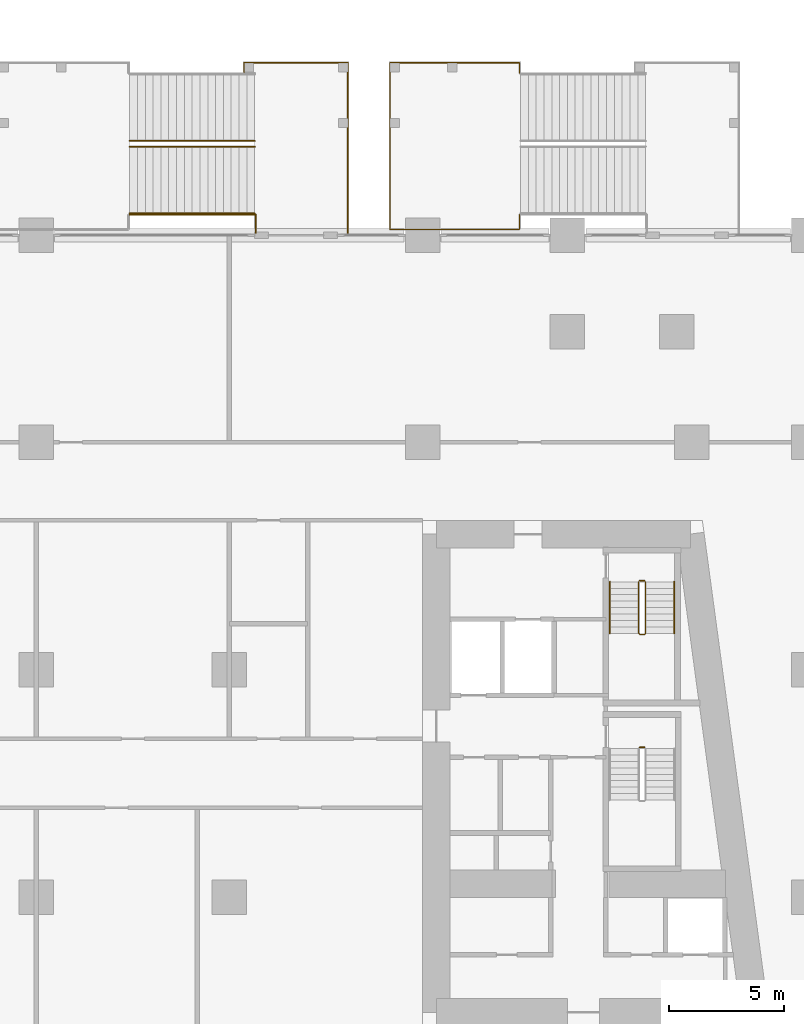
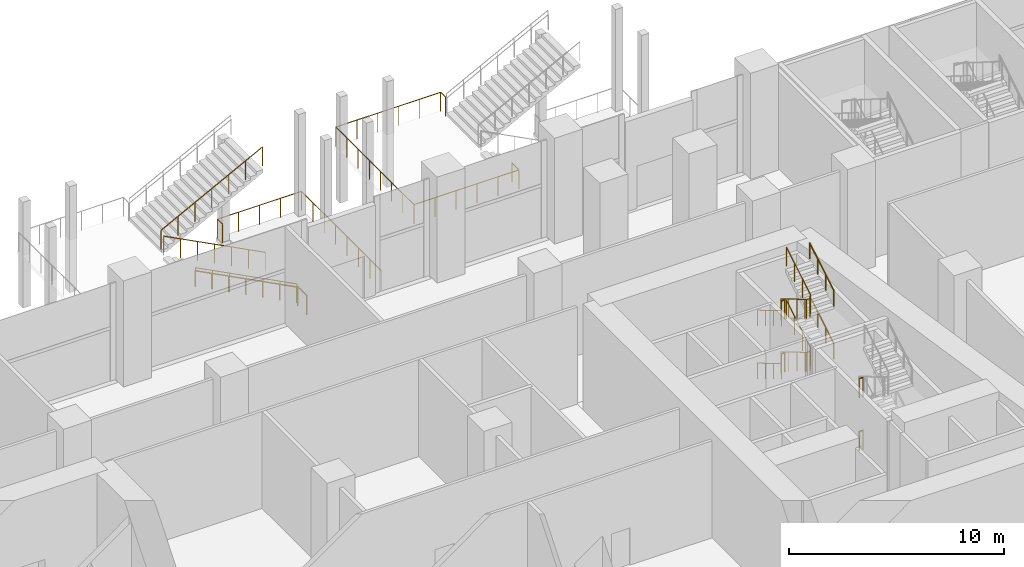
# One storey, part 44 of 49: 17 railings.
"""IFC4 building model written with IfcOpenShell, lengths in metres."""

import ifcopenshell
import ifcopenshell.guid

model = None  # the IFC model being written
_history = None  # IfcOwnerHistory: only IFC2X3 demands one
_inside = {}  # id of a spatial element -> (the spatial element, [elements in it])
_under = {}  # id of a project, library or spatial element -> (it, [spatial elements below it])
_declared = {}  # id of a project -> (the project, [libraries it declares])
_typed = {}  # id of a type object -> (the type object, [elements of that type])
_made_of = {}  # id of a material, layer set ... -> (it, [elements and type objects made of it])


def new_model(schema):
    """Start an empty IFC model of exactly this schema.

    Asked for "IFC4X3", IfcOpenShell would pick the latest addendum, in which some entities
    have other attributes; the version numbers below select the first issue.
    IFC2X3 requires an IfcOwnerHistory on every rooted entity: one is made here for all.
    """
    global model, _history
    if schema == "IFC4X3":
        model = ifcopenshell.file(schema_version=(4, 3, 0, 0))
    else:
        model = ifcopenshell.file(schema=schema)
    _inside.clear()
    _under.clear()
    _declared.clear()
    _typed.clear()
    _made_of.clear()
    _history = None
    if model.schema == "IFC2X3":
        org = make("IfcOrganization", Name="unknown")
        user = make(
            "IfcPersonAndOrganization",
            ThePerson=make("IfcPerson", FamilyName="unknown"),
            TheOrganization=org,
        )
        app = make(
            "IfcApplication",
            ApplicationDeveloper=org,
            Version="unknown",
            ApplicationFullName="unknown",
            ApplicationIdentifier="unknown",
        )
        _history = make(
            "IfcOwnerHistory",
            OwningUser=user,
            OwningApplication=app,
            ChangeAction="ADDED",
            CreationDate=0,
        )
    return model


def make(cls, **values):
    """One entity of the class cls with the attributes given. An attribute that is None is left unset."""
    return model.create_entity(
        cls, **{name: value for name, value in values.items() if value is not None}
    )


def rooted(cls, **values):
    """An entity with a GlobalId (a new one), such as an element, a storey or a relation."""
    return make(cls, GlobalId=ifcopenshell.guid.new(), OwnerHistory=_history, **values)


def si_unit(unit_type, name, prefix=None):
    """IfcSIUnit, for example si_unit("LENGTHUNIT", "METRE", prefix="MILLI")."""
    return make("IfcSIUnit", UnitType=unit_type, Prefix=prefix, Name=name)


def assignment(units):
    """IfcUnitAssignment: the units of a project."""
    return None if units is None else make("IfcUnitAssignment", Units=units)


def point(xyz):
    """IfcCartesianPoint."""
    return None if xyz is None else make("IfcCartesianPoint", Coordinates=xyz)


def direction(xyz):
    """IfcDirection."""
    return None if xyz is None else make("IfcDirection", DirectionRatios=xyz)


def frame(location, z_axis=None, x_axis=None):
    """IfcAxis2Placement3D, a coordinate frame: its origin and axes. An axis left out is left unset."""
    return make(
        "IfcAxis2Placement3D",
        Location=point(location),
        Axis=direction(z_axis),
        RefDirection=direction(x_axis),
    )


def frame_2d(location, x_axis=None):
    """IfcAxis2Placement2D, a coordinate frame in the plane: its origin and x axis."""
    return make(
        "IfcAxis2Placement2D", Location=point(location), RefDirection=direction(x_axis)
    )


def origin():
    """The frame at (0, 0, 0) with its axes left unset."""
    return frame((0.0, 0.0, 0.0))


def origin_2d():
    """The frame at (0, 0) in the plane with its x axis left unset."""
    return frame_2d((0.0, 0.0))


def place(relative_to, where):
    """IfcLocalPlacement: puts the frame where relative to a parent placement (None: the world)."""
    return make(
        "IfcLocalPlacement", PlacementRelTo=relative_to, RelativePlacement=where
    )


def context(
    kind, dimensions, precision=None, world=None, true_north=None, identifier=None
):
    """IfcGeometricRepresentationContext, for example the 3D "Model" context."""
    return make(
        "IfcGeometricRepresentationContext",
        ContextIdentifier=identifier,
        ContextType=kind,
        CoordinateSpaceDimension=dimensions,
        Precision=precision,
        WorldCoordinateSystem=world,
        TrueNorth=true_north,
    )


def subcontext(parent, identifier, kind, view, scale=None):
    """IfcGeometricRepresentationSubContext, for example "Body" below "Model"."""
    return make(
        "IfcGeometricRepresentationSubContext",
        ContextIdentifier=identifier,
        ContextType=kind,
        ParentContext=parent,
        TargetScale=scale,
        TargetView=view,
    )


def project(units=None, contexts=None):
    """IfcProject with its units and contexts."""
    return rooted(
        "IfcProject",
        Name="project",
        RepresentationContexts=contexts,
        UnitsInContext=assignment(units),
    )


def spatial(cls, under=None, at=None, **own):
    """A site, building, storey or space (cls), placed at a placement, below another one or the project."""
    s = rooted(cls, ObjectPlacement=at, **own)
    if under is not None:
        _under.setdefault(under.id(), (under, []))[1].append(s)
    return s


def profile(cls, at=None, kind="AREA", **sizes):
    """A parametric profile (cls). Its sizes go by their IFC names, for example OverallWidth=200.0."""
    return make(cls, ProfileType=kind, Position=at, **sizes)


def circle(**sizes):
    """IfcCircleProfileDef."""
    return profile("IfcCircleProfileDef", **sizes)


def extrude(swept, where, along, depth):
    """IfcExtrudedAreaSolid: the profile swept, set in the frame where, extruded along a direction by depth."""
    return make(
        "IfcExtrudedAreaSolid",
        SweptArea=swept,
        Position=where,
        ExtrudedDirection=direction(along),
        Depth=depth,
    )


def shape(context_of_items, identifier, shape_type, items):
    """IfcShapeRepresentation: the items that make up one representation, for example the "Body"."""
    return make(
        "IfcShapeRepresentation",
        ContextOfItems=context_of_items,
        RepresentationIdentifier=identifier,
        RepresentationType=shape_type,
        Items=items,
    )


def material(Name=None, Category=None):
    """IfcMaterial."""
    return make("IfcMaterial", Name=Name, Category=Category)


def made_of(thing, what):
    """Note that an element or type object is made of a material, layer set ...; save() writes the relation."""
    if what is not None:
        _made_of.setdefault(what.id(), (what, []))[1].append(thing)
    return thing


def type_object(cls, material=None, **own):
    """A type object (cls), such as IfcWallType, which elements share."""
    return made_of(rooted(cls, **own), material)


def element(
    cls,
    number,
    at=None,
    inside=None,
    cuts=None,
    type_object=None,
    material=None,
    context=None,
    identifier="Body",
    shape_type=None,
    held_by="IfcProductDefinitionShape",
    body=None,
    shapes=None,
    **own,
):
    """One element of the class cls, such as IfcWall. Its Tag is "e" and its number.

    at: its placement. inside: the storey or other place that contains it. cuts: it is an
    opening in that element (IfcRelVoidsElement). A single representation is given by context,
    identifier, shape_type and body (its items); several are given by shapes. held_by: the class
    of the entity that holds the representations. save() writes the other relations.
    """
    e = rooted(cls, Tag="e%d" % number, ObjectPlacement=at, **own)
    if body is not None:
        shapes = [shape(context, identifier, shape_type, body)]
    if shapes is not None:
        e.Representation = make(held_by, Representations=shapes)
    if inside is not None:
        _inside.setdefault(inside.id(), (inside, []))[1].append(e)
    if cuts is not None:
        rooted(
            "IfcRelVoidsElement", RelatingBuildingElement=cuts, RelatedOpeningElement=e
        )
    if type_object is not None:
        _typed.setdefault(type_object.id(), (type_object, []))[1].append(e)
    return made_of(e, material)


def aggregate(whole, parts):
    """IfcRelAggregates: a whole, such as a stair, and the parts it consists of."""
    return rooted("IfcRelAggregates", RelatingObject=whole, RelatedObjects=parts)


def save(model, path):
    """Write the relations noted so far, then the file.

    IfcRelAggregates (storeys below a building ...), IfcRelContainedInSpatialStructure (elements
    in a storey), IfcRelDefinesByType, IfcRelAssociatesMaterial and IfcRelDeclares: one each for
    every whole, place, type object, material and project.
    """
    for whole, parts in _under.values():
        aggregate(whole, parts)
    for where, things in _inside.values():
        rooted(
            "IfcRelContainedInSpatialStructure",
            RelatedElements=things,
            RelatingStructure=where,
        )
    for kind, things in _typed.values():
        rooted("IfcRelDefinesByType", RelatedObjects=things, RelatingType=kind)
    for what, things in _made_of.values():
        rooted("IfcRelAssociatesMaterial", RelatedObjects=things, RelatingMaterial=what)
    for by, libraries in _declared.values():
        rooted("IfcRelDeclares", RelatingContext=by, RelatedDefinitions=libraries)
    model.write(path)


model = new_model("IFC4")

# Units and contexts
model_context = context("Model", 3, precision=1e-05, world=origin(), true_north=direction((0.0, 1.0)))
body_context = subcontext(model_context, "Body", "Model", "MODEL_VIEW")
ifc_project = project(units=[si_unit("LENGTHUNIT", "METRE"), si_unit("AREAUNIT", "SQUARE_METRE"), si_unit("VOLUMEUNIT", "CUBIC_METRE"), si_unit("PLANEANGLEUNIT", "RADIAN"), si_unit("MASSUNIT", "GRAM", prefix="KILO")], contexts=[model_context])

# Site, building, storey
site_placement = place(None, origin())
site = spatial("IfcSite", under=ifc_project, at=site_placement, CompositionType="ELEMENT")
building_placement = place(site_placement, origin())
building = spatial("IfcBuilding", under=site, at=building_placement, Name="Candeia Pilgrim Tower and Theatre", CompositionType="ELEMENT")
storey_placement = place(building_placement, frame((0.0, 0.0, 17.0)))
storey = spatial("IfcBuildingStorey", under=building, at=storey_placement, Name="L02", CompositionType="ELEMENT", Elevation=17.0)

# Railings
ifc_material_1 = material(Name="Stainless steel balustrade", Category="steel")
railing_type_1 = type_object("IfcRailingType", Name="RL-GUARD-1100", PredefinedType="GUARDRAIL", material=ifc_material_1)
for number, where, name in (
    (1, (135.447998046875, 122.52490234375, 3.0), "L02 ST3 stair guard 2"),
    (2, (135.447998046875, 122.52490234375, 0.0), "L02 ST3 stair guard 4"),
):
    element("IfcRailing", number, at=place(storey_placement, frame(where)), inside=storey, type_object=railing_type_1, Name=name, PredefinedType="GUARDRAIL", context=body_context, shape_type="SweptSolid", body=[
        extrude(circle(Radius=0.02392578125, at=origin_2d()), frame((0.0, 0.0, 1.076171875), z_axis=(1.0, 0.0, 0.0), x_axis=(0.0, 1.0, 0.0)), (0.0, 0.0, 1.0), 0.199951171875),
        extrude(circle(Radius=0.02099609375, at=origin_2d()), origin(), (0.0, 0.0, 1.0), 1.052001953125),
        extrude(circle(Radius=0.02099609375, at=origin_2d()), frame((0.199951171875, 0.0, 0.0)), (0.0, 0.0, 1.0), 1.052001953125),
    ])
railing_1_placement = place(storey_placement, frame((135.39794921875, 129.72509765625, 0.166748046875)))
element("IfcRailing", 3, at=railing_1_placement, inside=storey, type_object=railing_type_1, Name="L02 ST4 stair guard 1", PredefinedType="GUARDRAIL", context=body_context, shape_type="SweptSolid", body=[
    extrude(circle(Radius=0.02392578125, at=origin_2d()), frame((0.0, 0.0, 1.076171875), z_axis=(0.0, -0.859305625298, 0.511462454469), x_axis=(1.0, 0.0, 0.0)), (0.0, 0.0, 1.0), 2.606689453125),
    extrude(circle(Radius=0.02392578125, at=origin_2d()), frame((0.0, -2.239990234375, 2.4091796875), z_axis=(0.707106781187, -0.707106781187, 0.0), x_axis=(0.707106781187, 0.707106781187, 0.0)), (0.0, 0.0, 1.0), 0.07080078125),
    extrude(circle(Radius=0.02392578125, at=origin_2d()), frame((0.050048828125, -2.2900390625, 2.4091796875), z_axis=(1.0, 0.0, 0.0), x_axis=(0.0, 1.0, 0.0)), (0.0, 0.0, 1.0), 0.199951171875),
    extrude(circle(Radius=0.02392578125, at=origin_2d()), frame((0.25, -2.2900390625, 2.4091796875), z_axis=(0.27628659633, 0.27628659633, 0.920506074601), x_axis=(-0.707106781187, 0.707106781187, 0.0)), (0.0, 0.0, 1.0), 0.18115234375),
    extrude(circle(Radius=0.02392578125, at=origin_2d()), frame((0.300048828125, -2.239990234375, 2.576171875), z_axis=(0.0, 0.859305625298, 0.511462454469), x_axis=(-1.0, 0.0, 0.0)), (0.0, 0.0, 1.0), 2.606689453125),
    extrude(circle(Radius=0.02099609375, at=origin_2d()), origin(), (0.0, 0.0, 1.0), 1.052001953125),
    extrude(circle(Radius=0.02099609375, at=origin_2d()), frame((0.0, -0.74658203125, 0.4443359375)), (0.0, 0.0, 1.0), 1.052001953125),
    extrude(circle(Radius=0.02099609375, at=origin_2d()), frame((0.0, -1.493408203125, 0.888916015625)), (0.0, 0.0, 1.0), 1.052001953125),
    extrude(circle(Radius=0.02099609375, at=origin_2d()), frame((0.0, -2.239990234375, 1.333251953125)), (0.0, 0.0, 1.0), 1.052001953125),
    extrude(circle(Radius=0.02099609375, at=origin_2d()), frame((0.050048828125, -2.2900390625, 1.333251953125)), (0.0, 0.0, 1.0), 1.052001953125),
    extrude(circle(Radius=0.02099609375, at=origin_2d()), frame((0.25, -2.2900390625, 1.333251953125)), (0.0, 0.0, 1.0), 1.052001953125),
    extrude(circle(Radius=0.02099609375, at=origin_2d()), frame((0.300048828125, -2.239990234375, 1.5)), (0.0, 0.0, 1.0), 1.052001953125),
    extrude(circle(Radius=0.02099609375, at=origin_2d()), frame((0.300048828125, -1.493408203125, 1.9443359375)), (0.0, 0.0, 1.0), 1.052001953125),
    extrude(circle(Radius=0.02099609375, at=origin_2d()), frame((0.300048828125, -0.74658203125, 2.388916015625)), (0.0, 0.0, 1.0), 1.052001953125),
    extrude(circle(Radius=0.02099609375, at=origin_2d()), frame((0.300048828125, 0.0, 2.833251953125)), (0.0, 0.0, 1.0), 1.052001953125),
])
railing_2_placement = place(storey_placement, frame((135.447998046875, 129.77490234375, 3.0)))
element("IfcRailing", 4, at=railing_2_placement, inside=storey, type_object=railing_type_1, Name="L02 ST4 stair guard 2", PredefinedType="GUARDRAIL", context=body_context, shape_type="SweptSolid", body=[
    extrude(circle(Radius=0.02392578125, at=origin_2d()), frame((0.0, 0.0, 1.076171875), z_axis=(1.0, 0.0, 0.0), x_axis=(0.0, 1.0, 0.0)), (0.0, 0.0, 1.0), 0.199951171875),
    extrude(circle(Radius=0.02099609375, at=origin_2d()), origin(), (0.0, 0.0, 1.0), 1.052001953125),
    extrude(circle(Radius=0.02099609375, at=origin_2d()), frame((0.199951171875, 0.0, 0.0)), (0.0, 0.0, 1.0), 1.052001953125),
])
railing_3_placement = place(storey_placement, frame((135.39794921875, 129.72509765625, 3.166748046875)))
element("IfcRailing", 5, at=railing_3_placement, inside=storey, type_object=railing_type_1, Name="L02 ST4 stair guard 3", PredefinedType="GUARDRAIL", context=body_context, shape_type="SweptSolid", body=[
    extrude(circle(Radius=0.02392578125, at=origin_2d()), frame((0.0, 0.0, 1.076171875), z_axis=(0.0, -0.859305625298, 0.511462454469), x_axis=(1.0, 0.0, 0.0)), (0.0, 0.0, 1.0), 2.606689453125),
    extrude(circle(Radius=0.02392578125, at=origin_2d()), frame((0.0, -2.239990234375, 2.4091796875), z_axis=(0.707106781187, -0.707106781187, 0.0), x_axis=(0.707106781187, 0.707106781187, 0.0)), (0.0, 0.0, 1.0), 0.07080078125),
    extrude(circle(Radius=0.02392578125, at=origin_2d()), frame((0.050048828125, -2.2900390625, 2.4091796875), z_axis=(1.0, 0.0, 0.0), x_axis=(0.0, 1.0, 0.0)), (0.0, 0.0, 1.0), 0.199951171875),
    extrude(circle(Radius=0.02392578125, at=origin_2d()), frame((0.25, -2.2900390625, 2.4091796875), z_axis=(0.27628659633, 0.27628659633, 0.920506074601), x_axis=(-0.707106781187, 0.707106781187, 0.0)), (0.0, 0.0, 1.0), 0.18115234375),
    extrude(circle(Radius=0.02392578125, at=origin_2d()), frame((0.300048828125, -2.239990234375, 2.576171875), z_axis=(0.0, 0.859305625298, 0.511462454469), x_axis=(-1.0, 0.0, 0.0)), (0.0, 0.0, 1.0), 2.606689453125),
    extrude(circle(Radius=0.02099609375, at=origin_2d()), origin(), (0.0, 0.0, 1.0), 1.052001953125),
    extrude(circle(Radius=0.02099609375, at=origin_2d()), frame((0.0, -0.74658203125, 0.4443359375)), (0.0, 0.0, 1.0), 1.052001953125),
    extrude(circle(Radius=0.02099609375, at=origin_2d()), frame((0.0, -1.493408203125, 0.888916015625)), (0.0, 0.0, 1.0), 1.052001953125),
    extrude(circle(Radius=0.02099609375, at=origin_2d()), frame((0.0, -2.239990234375, 1.333251953125)), (0.0, 0.0, 1.0), 1.052001953125),
    extrude(circle(Radius=0.02099609375, at=origin_2d()), frame((0.050048828125, -2.2900390625, 1.333251953125)), (0.0, 0.0, 1.0), 1.052001953125),
    extrude(circle(Radius=0.02099609375, at=origin_2d()), frame((0.25, -2.2900390625, 1.333251953125)), (0.0, 0.0, 1.0), 1.052001953125),
    extrude(circle(Radius=0.02099609375, at=origin_2d()), frame((0.300048828125, -2.239990234375, 1.5)), (0.0, 0.0, 1.0), 1.052001953125),
    extrude(circle(Radius=0.02099609375, at=origin_2d()), frame((0.300048828125, -1.493408203125, 1.9443359375)), (0.0, 0.0, 1.0), 1.052001953125),
    extrude(circle(Radius=0.02099609375, at=origin_2d()), frame((0.300048828125, -0.74658203125, 2.388916015625)), (0.0, 0.0, 1.0), 1.052001953125),
    extrude(circle(Radius=0.02099609375, at=origin_2d()), frame((0.300048828125, 0.0, 2.833251953125)), (0.0, 0.0, 1.0), 1.052001953125),
])
railing_4_placement = place(storey_placement, frame((135.447998046875, 129.77490234375, 0.0)))
element("IfcRailing", 6, at=railing_4_placement, inside=storey, type_object=railing_type_1, Name="L02 ST4 stair guard 4", PredefinedType="GUARDRAIL", context=body_context, shape_type="SweptSolid", body=[
    extrude(circle(Radius=0.02392578125, at=origin_2d()), frame((0.0, 0.0, 1.076171875), z_axis=(1.0, 0.0, 0.0), x_axis=(0.0, 1.0, 0.0)), (0.0, 0.0, 1.0), 0.199951171875),
    extrude(circle(Radius=0.02099609375, at=origin_2d()), origin(), (0.0, 0.0, 1.0), 1.052001953125),
    extrude(circle(Radius=0.02099609375, at=origin_2d()), frame((0.199951171875, 0.0, 0.0)), (0.0, 0.0, 1.0), 1.052001953125),
])
railing_5_placement = place(storey_placement, frame((118.699951171875, 148.64990234375, 0.176513671875)))
element("IfcRailing", 7, at=railing_5_placement, inside=storey, type_object=railing_type_1, Name="L02 ES6 stair guard 1", PredefinedType="GUARDRAIL", context=body_context, shape_type="SweptSolid", body=[
    extrude(circle(Radius=0.02392578125, at=origin_2d()), frame((0.0, 0.0, 1.076171875), z_axis=(-0.887569374008, 0.0, 0.460674078198), x_axis=(0.0, -1.0, 0.0)), (0.0, 0.0, 1.0), 6.129150390625),
    extrude(circle(Radius=0.02099609375, at=origin_2d()), origin(), (0.0, 0.0, 1.0), 1.052001953125),
    extrude(circle(Radius=0.02099609375, at=origin_2d()), frame((-0.90673828125, 0.0, 0.470703125)), (0.0, 0.0, 1.0), 1.052001953125),
    extrude(circle(Radius=0.02099609375, at=origin_2d()), frame((-1.813232421875, 0.0, 0.941162109375)), (0.0, 0.0, 1.0), 1.052001953125),
    extrude(circle(Radius=0.02099609375, at=origin_2d()), frame((-2.719970703125, 0.0, 1.41162109375)), (0.0, 0.0, 1.0), 1.052001953125),
    extrude(circle(Radius=0.02099609375, at=origin_2d()), frame((-3.626708984375, 0.0, 1.88232421875)), (0.0, 0.0, 1.0), 1.052001953125),
    extrude(circle(Radius=0.02099609375, at=origin_2d()), frame((-4.533203125, 0.0, 2.35302734375)), (0.0, 0.0, 1.0), 1.052001953125),
    extrude(circle(Radius=0.02099609375, at=origin_2d()), frame((-5.43994140625, 0.0, 2.823486328125)), (0.0, 0.0, 1.0), 1.052001953125),
])
railing_6_placement = place(storey_placement, frame((113.260009765625, 148.89990234375, 3.176513671875)))
element("IfcRailing", 8, at=railing_6_placement, inside=storey, type_object=railing_type_1, Name="L02 ES6 stair guard 2", PredefinedType="GUARDRAIL", context=body_context, shape_type="SweptSolid", body=[
    extrude(circle(Radius=0.02392578125, at=origin_2d()), frame((0.0, 0.0, 1.076171875), z_axis=(0.887569374008, 0.0, 0.460674078198), x_axis=(0.0, 1.0, 0.0)), (0.0, 0.0, 1.0), 6.129150390625),
    extrude(circle(Radius=0.02099609375, at=origin_2d()), origin(), (0.0, 0.0, 1.0), 1.052001953125),
    extrude(circle(Radius=0.02099609375, at=origin_2d()), frame((0.90673828125, 0.0, 0.470703125)), (0.0, 0.0, 1.0), 1.052001953125),
    extrude(circle(Radius=0.02099609375, at=origin_2d()), frame((1.813232421875, 0.0, 0.941162109375)), (0.0, 0.0, 1.0), 1.052001953125),
    extrude(circle(Radius=0.02099609375, at=origin_2d()), frame((2.719970703125, 0.0, 1.41162109375)), (0.0, 0.0, 1.0), 1.052001953125),
    extrude(circle(Radius=0.02099609375, at=origin_2d()), frame((3.626708984375, 0.0, 1.88232421875)), (0.0, 0.0, 1.0), 1.052001953125),
    extrude(circle(Radius=0.02099609375, at=origin_2d()), frame((4.533203125, 0.0, 2.35302734375)), (0.0, 0.0, 1.0), 1.052001953125),
    extrude(circle(Radius=0.02099609375, at=origin_2d()), frame((5.43994140625, 0.0, 2.823486328125)), (0.0, 0.0, 1.0), 1.052001953125),
])
railing_7_placement = place(storey_placement, frame((118.699951171875, 145.699951171875, 0.176513671875)))
element("IfcRailing", 9, at=railing_7_placement, inside=storey, type_object=railing_type_1, Name="L02 ES6 stair guard 3", PredefinedType="GUARDRAIL", context=body_context, shape_type="SweptSolid", body=[
    extrude(circle(Radius=0.02392578125, at=origin_2d()), frame((0.0, 0.0, 1.076171875), z_axis=(-0.887569374008, 0.0, 0.460674078198), x_axis=(0.0, -1.0, 0.0)), (0.0, 0.0, 1.0), 6.129150390625),
    extrude(circle(Radius=0.02099609375, at=origin_2d()), origin(), (0.0, 0.0, 1.0), 1.052001953125),
    extrude(circle(Radius=0.02099609375, at=origin_2d()), frame((-0.90673828125, 0.0, 0.470703125)), (0.0, 0.0, 1.0), 1.052001953125),
    extrude(circle(Radius=0.02099609375, at=origin_2d()), frame((-1.813232421875, 0.0, 0.941162109375)), (0.0, 0.0, 1.0), 1.052001953125),
    extrude(circle(Radius=0.02099609375, at=origin_2d()), frame((-2.719970703125, 0.0, 1.41162109375)), (0.0, 0.0, 1.0), 1.052001953125),
    extrude(circle(Radius=0.02099609375, at=origin_2d()), frame((-3.626708984375, 0.0, 1.88232421875)), (0.0, 0.0, 1.0), 1.052001953125),
    extrude(circle(Radius=0.02099609375, at=origin_2d()), frame((-4.533203125, 0.0, 2.35302734375)), (0.0, 0.0, 1.0), 1.052001953125),
    extrude(circle(Radius=0.02099609375, at=origin_2d()), frame((-5.43994140625, 0.0, 2.823486328125)), (0.0, 0.0, 1.0), 1.052001953125),
])
railing_8_placement = place(storey_placement, frame((122.75, 144.89990234375, 0.0)))
element("IfcRailing", 10, at=railing_8_placement, inside=storey, type_object=railing_type_1, Name="L02 External escape stair ES6 landing guard", PredefinedType="GUARDRAIL", context=body_context, shape_type="SweptSolid", body=[
    extrude(circle(Radius=0.02392578125, at=origin_2d()), frame((0.0, 0.0, 1.076171875), z_axis=(0.0, 1.0, 0.0), x_axis=(-1.0, 0.0, 0.0)), (0.0, 0.0, 1.0), 7.400146484375),
    extrude(circle(Radius=0.02392578125, at=origin_2d()), frame((0.0, 7.400146484375, 1.076171875), z_axis=(-1.0, 0.0, 0.0), x_axis=(0.0, -1.0, 0.0)), (0.0, 0.0, 1.0), 4.5),
    extrude(circle(Radius=0.02392578125, at=origin_2d()), frame((-4.5, 7.400146484375, 1.076171875), z_axis=(0.0, -1.0, 0.0), x_axis=(1.0, 0.0, 0.0)), (0.0, 0.0, 1.0), 0.449951171875),
    extrude(circle(Radius=0.02099609375, at=origin_2d()), origin(), (0.0, 0.0, 1.0), 1.052001953125),
    extrude(circle(Radius=0.02099609375, at=origin_2d()), frame((0.0, 1.05712890625, 0.0)), (0.0, 0.0, 1.0), 1.052001953125),
    extrude(circle(Radius=0.02099609375, at=origin_2d()), frame((0.0, 2.1142578125, 0.0)), (0.0, 0.0, 1.0), 1.052001953125),
    extrude(circle(Radius=0.02099609375, at=origin_2d()), frame((0.0, 3.17138671875, 0.0)), (0.0, 0.0, 1.0), 1.052001953125),
    extrude(circle(Radius=0.02099609375, at=origin_2d()), frame((0.0, 4.228759765625, 0.0)), (0.0, 0.0, 1.0), 1.052001953125),
    extrude(circle(Radius=0.02099609375, at=origin_2d()), frame((0.0, 5.285888671875, 0.0)), (0.0, 0.0, 1.0), 1.052001953125),
    extrude(circle(Radius=0.02099609375, at=origin_2d()), frame((0.0, 6.343017578125, 0.0)), (0.0, 0.0, 1.0), 1.052001953125),
    extrude(circle(Radius=0.02099609375, at=origin_2d()), frame((0.0, 7.400146484375, 0.0)), (0.0, 0.0, 1.0), 1.052001953125),
    extrude(circle(Radius=0.02099609375, at=origin_2d()), frame((-1.125, 7.400146484375, 0.0)), (0.0, 0.0, 1.0), 1.052001953125),
    extrude(circle(Radius=0.02099609375, at=origin_2d()), frame((-2.25, 7.400146484375, 0.0)), (0.0, 0.0, 1.0), 1.052001953125),
    extrude(circle(Radius=0.02099609375, at=origin_2d()), frame((-3.375, 7.400146484375, 0.0)), (0.0, 0.0, 1.0), 1.052001953125),
    extrude(circle(Radius=0.02099609375, at=origin_2d()), frame((-4.5, 7.400146484375, 0.0)), (0.0, 0.0, 1.0), 1.052001953125),
    extrude(circle(Radius=0.02099609375, at=origin_2d()), frame((-4.5, 6.9501953125, 0.0)), (0.0, 0.0, 1.0), 1.052001953125),
])
railing_9_placement = place(storey_placement, frame((118.75, 144.89990234375, 0.0)))
element("IfcRailing", 11, at=railing_9_placement, inside=storey, type_object=railing_type_1, Name="L02 External escape stair ES6 bridge guard", PredefinedType="GUARDRAIL", context=body_context, shape_type="SweptSolid", body=[
    extrude(circle(Radius=0.02392578125, at=origin_2d()), frame((0.0, 0.0, 1.076171875), z_axis=(0.0, 1.0, 0.0), x_axis=(-1.0, 0.0, 0.0)), (0.0, 0.0, 1.0), 0.800048828125),
    extrude(circle(Radius=0.02099609375, at=origin_2d()), origin(), (0.0, 0.0, 1.0), 1.052001953125),
    extrude(circle(Radius=0.02099609375, at=origin_2d()), frame((0.0, 0.800048828125, 0.0)), (0.0, 0.0, 1.0), 1.052001953125),
])
railing_10_placement = place(storey_placement, frame((130.2099609375, 145.699951171875, 3.0)))
element("IfcRailing", 12, at=railing_10_placement, inside=storey, type_object=railing_type_1, Name="L02 ES7 stair guard 5", PredefinedType="GUARDRAIL", context=body_context, shape_type="SweptSolid", body=[
    extrude(circle(Radius=0.02392578125, at=origin_2d()), frame((0.0, 0.0, 1.076171875), z_axis=(0.0, -1.0, 0.0), x_axis=(1.0, 0.0, 0.0)), (0.0, 0.0, 1.0), 0.64990234375),
    extrude(circle(Radius=0.02392578125, at=origin_2d()), frame((0.0, -0.64990234375, 1.076171875), z_axis=(-1.0, 0.0, 0.0), x_axis=(0.0, -1.0, 0.0)), (0.0, 0.0, 1.0), 5.619873046875),
    extrude(circle(Radius=0.02392578125, at=origin_2d()), frame((-5.619873046875, -0.64990234375, 1.076171875), z_axis=(0.0, 1.0, 0.0), x_axis=(-1.0, 0.0, 0.0)), (0.0, 0.0, 1.0), 7.25),
    extrude(circle(Radius=0.02392578125, at=origin_2d()), frame((-5.619873046875, 6.60009765625, 1.076171875), z_axis=(1.0, 0.0, 0.0), x_axis=(0.0, 1.0, 0.0)), (0.0, 0.0, 1.0), 5.619873046875),
    extrude(circle(Radius=0.02392578125, at=origin_2d()), frame((0.0, 6.60009765625, 1.076171875), z_axis=(0.0, -1.0, 0.0), x_axis=(1.0, 0.0, 0.0)), (0.0, 0.0, 1.0), 0.449951171875),
    extrude(circle(Radius=0.02099609375, at=origin_2d()), origin(), (0.0, 0.0, 1.0), 1.052001953125),
    extrude(circle(Radius=0.02099609375, at=origin_2d()), frame((0.0, -0.64990234375, 0.0)), (0.0, 0.0, 1.0), 1.052001953125),
    extrude(circle(Radius=0.02099609375, at=origin_2d()), frame((-1.1240234375, -0.64990234375, 0.0)), (0.0, 0.0, 1.0), 1.052001953125),
    extrude(circle(Radius=0.02099609375, at=origin_2d()), frame((-2.248046875, -0.64990234375, 0.0)), (0.0, 0.0, 1.0), 1.052001953125),
    extrude(circle(Radius=0.02099609375, at=origin_2d()), frame((-3.371826171875, -0.64990234375, 0.0)), (0.0, 0.0, 1.0), 1.052001953125),
    extrude(circle(Radius=0.02099609375, at=origin_2d()), frame((-4.495849609375, -0.64990234375, 0.0)), (0.0, 0.0, 1.0), 1.052001953125),
    extrude(circle(Radius=0.02099609375, at=origin_2d()), frame((-5.619873046875, -0.64990234375, 0.0)), (0.0, 0.0, 1.0), 1.052001953125),
    extrude(circle(Radius=0.02099609375, at=origin_2d()), frame((-5.619873046875, 0.3857421875, 0.0)), (0.0, 0.0, 1.0), 1.052001953125),
    extrude(circle(Radius=0.02099609375, at=origin_2d()), frame((-5.619873046875, 1.421630859375, 0.0)), (0.0, 0.0, 1.0), 1.052001953125),
    extrude(circle(Radius=0.02099609375, at=origin_2d()), frame((-5.619873046875, 2.457275390625, 0.0)), (0.0, 0.0, 1.0), 1.052001953125),
    extrude(circle(Radius=0.02099609375, at=origin_2d()), frame((-5.619873046875, 3.492919921875, 0.0)), (0.0, 0.0, 1.0), 1.052001953125),
    extrude(circle(Radius=0.02099609375, at=origin_2d()), frame((-5.619873046875, 4.528564453125, 0.0)), (0.0, 0.0, 1.0), 1.052001953125),
    extrude(circle(Radius=0.02099609375, at=origin_2d()), frame((-5.619873046875, 5.564453125, 0.0)), (0.0, 0.0, 1.0), 1.052001953125),
    extrude(circle(Radius=0.02099609375, at=origin_2d()), frame((-5.619873046875, 6.60009765625, 0.0)), (0.0, 0.0, 1.0), 1.052001953125),
    extrude(circle(Radius=0.02099609375, at=origin_2d()), frame((-4.495849609375, 6.60009765625, 0.0)), (0.0, 0.0, 1.0), 1.052001953125),
    extrude(circle(Radius=0.02099609375, at=origin_2d()), frame((-3.371826171875, 6.60009765625, 0.0)), (0.0, 0.0, 1.0), 1.052001953125),
    extrude(circle(Radius=0.02099609375, at=origin_2d()), frame((-2.248046875, 6.60009765625, 0.0)), (0.0, 0.0, 1.0), 1.052001953125),
    extrude(circle(Radius=0.02099609375, at=origin_2d()), frame((-1.1240234375, 6.60009765625, 0.0)), (0.0, 0.0, 1.0), 1.052001953125),
    extrude(circle(Radius=0.02099609375, at=origin_2d()), frame((0.0, 6.60009765625, 0.0)), (0.0, 0.0, 1.0), 1.052001953125),
    extrude(circle(Radius=0.02099609375, at=origin_2d()), frame((0.0, 6.150146484375, 0.0)), (0.0, 0.0, 1.0), 1.052001953125),
])
ifc_material_2 = material(Name="Stainless steel handrail", Category="steel")
railing_type_2 = type_object("IfcRailingType", Name="RL-HANDRAIL-900", PredefinedType="HANDRAIL", material=ifc_material_2)
railing_11_placement = place(storey_placement, frame((134.14794921875, 129.72509765625, 0.166748046875)))
element("IfcRailing", 13, at=railing_11_placement, inside=storey, type_object=railing_type_2, Name="L02 ST4 stair handrail 1", PredefinedType="HANDRAIL", context=body_context, shape_type="SweptSolid", body=[
    extrude(circle(Radius=0.02392578125, at=origin_2d()), frame((0.0, 0.0, 0.8759765625), z_axis=(0.0, -0.859305625298, 0.511462454469), x_axis=(1.0, 0.0, 0.0)), (0.0, 0.0, 1.0), 2.606689453125),
    extrude(circle(Radius=0.02099609375, at=origin_2d()), origin(), (0.0, 0.0, 1.0), 0.851806640625),
    extrude(circle(Radius=0.02099609375, at=origin_2d()), frame((0.0, -0.74658203125, 0.4443359375)), (0.0, 0.0, 1.0), 0.851806640625),
    extrude(circle(Radius=0.02099609375, at=origin_2d()), frame((0.0, -1.493408203125, 0.888916015625)), (0.0, 0.0, 1.0), 0.851806640625),
    extrude(circle(Radius=0.02099609375, at=origin_2d()), frame((0.0, -2.239990234375, 1.333251953125)), (0.0, 0.0, 1.0), 0.851806640625),
])
railing_12_placement = place(storey_placement, frame((136.947998046875, 127.485107421875, 1.666748046875)))
element("IfcRailing", 14, at=railing_12_placement, inside=storey, type_object=railing_type_2, Name="L02 ST4 stair handrail 2", PredefinedType="HANDRAIL", context=body_context, shape_type="SweptSolid", body=[
    extrude(circle(Radius=0.02392578125, at=origin_2d()), frame((0.0, 0.0, 0.8759765625), z_axis=(0.0, 0.859305625298, 0.511462454469), x_axis=(-1.0, 0.0, 0.0)), (0.0, 0.0, 1.0), 2.606689453125),
    extrude(circle(Radius=0.02099609375, at=origin_2d()), origin(), (0.0, 0.0, 1.0), 0.851806640625),
    extrude(circle(Radius=0.02099609375, at=origin_2d()), frame((0.0, 0.74658203125, 0.4443359375)), (0.0, 0.0, 1.0), 0.851806640625),
    extrude(circle(Radius=0.02099609375, at=origin_2d()), frame((0.0, 1.493408203125, 0.888916015625)), (0.0, 0.0, 1.0), 0.851806640625),
    extrude(circle(Radius=0.02099609375, at=origin_2d()), frame((0.0, 2.239990234375, 1.333251953125)), (0.0, 0.0, 1.0), 0.851806640625),
])
railing_13_placement = place(storey_placement, frame((134.14794921875, 129.72509765625, 3.166748046875)))
element("IfcRailing", 15, at=railing_13_placement, inside=storey, type_object=railing_type_2, Name="L02 ST4 stair handrail 3", PredefinedType="HANDRAIL", context=body_context, shape_type="SweptSolid", body=[
    extrude(circle(Radius=0.02392578125, at=origin_2d()), frame((0.0, 0.0, 0.8759765625), z_axis=(0.0, -0.859305625298, 0.511462454469), x_axis=(1.0, 0.0, 0.0)), (0.0, 0.0, 1.0), 2.606689453125),
    extrude(circle(Radius=0.02099609375, at=origin_2d()), origin(), (0.0, 0.0, 1.0), 0.851806640625),
    extrude(circle(Radius=0.02099609375, at=origin_2d()), frame((0.0, -0.74658203125, 0.4443359375)), (0.0, 0.0, 1.0), 0.851806640625),
    extrude(circle(Radius=0.02099609375, at=origin_2d()), frame((0.0, -1.493408203125, 0.888916015625)), (0.0, 0.0, 1.0), 0.851806640625),
    extrude(circle(Radius=0.02099609375, at=origin_2d()), frame((0.0, -2.239990234375, 1.333251953125)), (0.0, 0.0, 1.0), 0.851806640625),
])
railing_14_placement = place(storey_placement, frame((136.947998046875, 127.485107421875, 4.666748046875)))
element("IfcRailing", 16, at=railing_14_placement, inside=storey, type_object=railing_type_2, Name="L02 ST4 stair handrail 4", PredefinedType="HANDRAIL", context=body_context, shape_type="SweptSolid", body=[
    extrude(circle(Radius=0.02392578125, at=origin_2d()), frame((0.0, 0.0, 0.8759765625), z_axis=(0.0, 0.859305625298, 0.511462454469), x_axis=(-1.0, 0.0, 0.0)), (0.0, 0.0, 1.0), 2.606689453125),
    extrude(circle(Radius=0.02099609375, at=origin_2d()), origin(), (0.0, 0.0, 1.0), 0.851806640625),
    extrude(circle(Radius=0.02099609375, at=origin_2d()), frame((0.0, 0.74658203125, 0.4443359375)), (0.0, 0.0, 1.0), 0.851806640625),
    extrude(circle(Radius=0.02099609375, at=origin_2d()), frame((0.0, 1.493408203125, 0.888916015625)), (0.0, 0.0, 1.0), 0.851806640625),
    extrude(circle(Radius=0.02099609375, at=origin_2d()), frame((0.0, 2.239990234375, 1.333251953125)), (0.0, 0.0, 1.0), 0.851806640625),
])
railing_15_placement = place(storey_placement, frame((118.699951171875, 145.75, 0.176513671875)))
element("IfcRailing", 17, at=railing_15_placement, inside=storey, type_object=railing_type_2, Name="L02 ES6 stair handrail 1", PredefinedType="HANDRAIL", context=body_context, shape_type="SweptSolid", body=[
    extrude(circle(Radius=0.02392578125, at=origin_2d()), frame((0.0, 0.0, 0.8759765625), z_axis=(-0.887569374008, 0.0, 0.460674078198), x_axis=(0.0, -1.0, 0.0)), (0.0, 0.0, 1.0), 6.129150390625),
    extrude(circle(Radius=0.02099609375, at=origin_2d()), origin(), (0.0, 0.0, 1.0), 0.851806640625),
    extrude(circle(Radius=0.02099609375, at=origin_2d()), frame((-0.90673828125, 0.0, 0.470703125)), (0.0, 0.0, 1.0), 0.851806640625),
    extrude(circle(Radius=0.02099609375, at=origin_2d()), frame((-1.813232421875, 0.0, 0.941162109375)), (0.0, 0.0, 1.0), 0.851806640625),
    extrude(circle(Radius=0.02099609375, at=origin_2d()), frame((-2.719970703125, 0.0, 1.41162109375)), (0.0, 0.0, 1.0), 0.851806640625),
    extrude(circle(Radius=0.02099609375, at=origin_2d()), frame((-3.626708984375, 0.0, 1.88232421875)), (0.0, 0.0, 1.0), 0.851806640625),
    extrude(circle(Radius=0.02099609375, at=origin_2d()), frame((-4.533203125, 0.0, 2.35302734375)), (0.0, 0.0, 1.0), 0.851806640625),
    extrude(circle(Radius=0.02099609375, at=origin_2d()), frame((-5.43994140625, 0.0, 2.823486328125)), (0.0, 0.0, 1.0), 0.851806640625),
])

save(model, "model.ifc")
